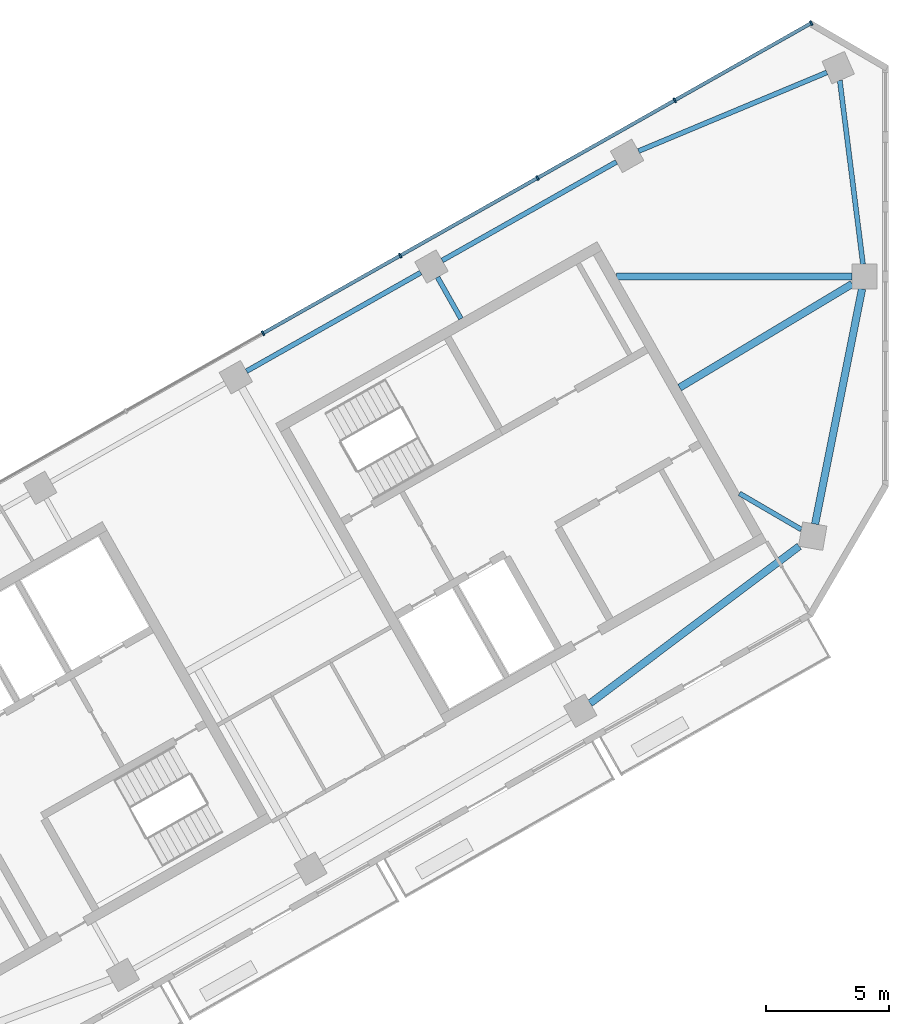
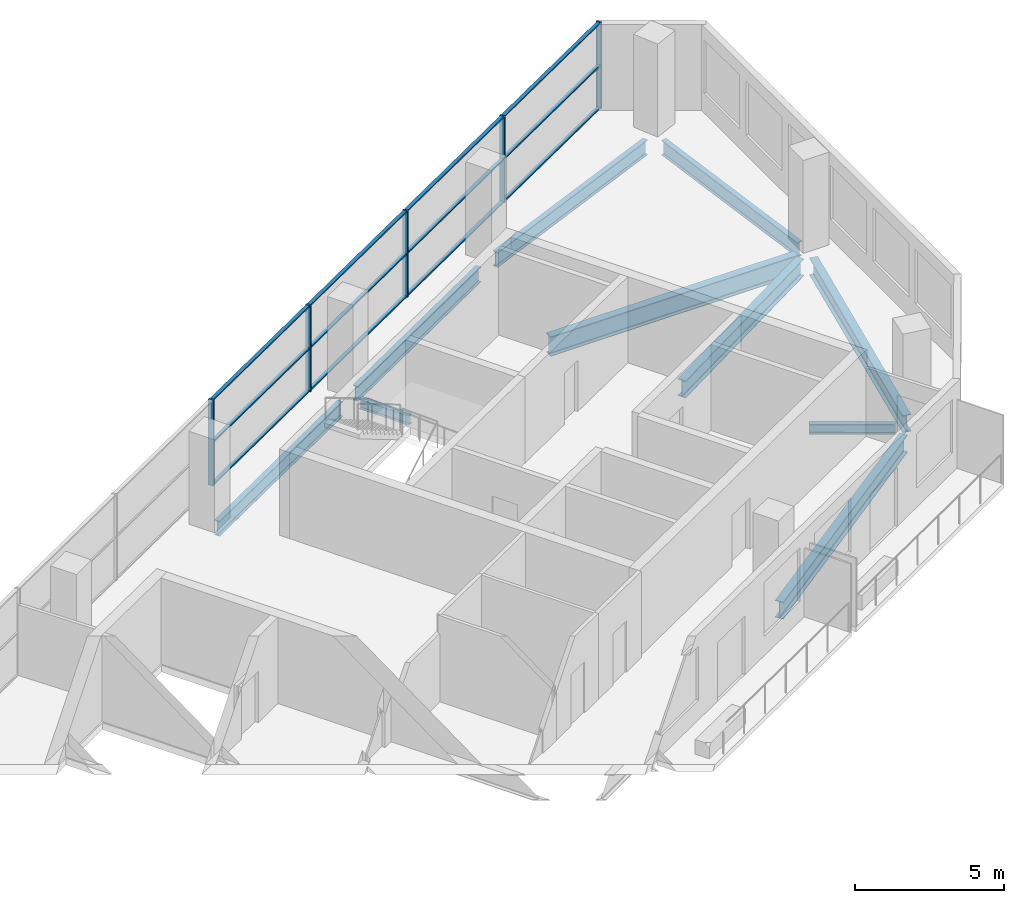
# One storey, part 4 of 10: 17 members, 10 beams, 1 element without a shape of its own.
"""IFC4 building model written with IfcOpenShell, lengths in metres."""

from ifc_helpers import new_model, si_unit, direction, frame, origin, origin_2d, place, context, subcontext, project, spatial, rectangle, i_section, extrude, material, material_profile, profile_set, type_object, element, aggregate, save


model = new_model("IFC4")

# Units and contexts
model_context = context("Model", 3, precision=1e-05, world=origin(), true_north=direction((0.0, 1.0)))
body_context = subcontext(model_context, "Body", "Model", "MODEL_VIEW")
ifc_project = project(units=[si_unit("LENGTHUNIT", "METRE"), si_unit("AREAUNIT", "SQUARE_METRE"), si_unit("VOLUMEUNIT", "CUBIC_METRE"), si_unit("PLANEANGLEUNIT", "RADIAN"), si_unit("MASSUNIT", "GRAM", prefix="KILO")], contexts=[model_context])

# Site, building, storey
site_placement = place(None, origin())
site = spatial("IfcSite", under=ifc_project, at=site_placement, CompositionType="ELEMENT")
building_placement = place(site_placement, origin())
building = spatial("IfcBuilding", under=site, at=building_placement, Name="Binnacle Exchange Tower", CompositionType="ELEMENT")
storey_placement = place(building_placement, frame((0.0, 0.0, 327.89990234375)))
storey = spatial("IfcBuildingStorey", under=building, at=storey_placement, Name="L74", CompositionType="ELEMENT", Elevation=327.89990234375)

# Curtain wall, members
ifc_material_1 = material(Name="Bronze anodised aluminium frame", Category="aluminium")
curtain_wall_type = type_object("IfcCurtainWallType", Name="External wall - curtain wall executive floors", PredefinedType="NOTDEFINED", material=ifc_material_1)
curtain_wall_placement = place(storey_placement, origin())
curtain_wall = element("IfcCurtainWall", 1, at=curtain_wall_placement, inside=storey, type_object=curtain_wall_type, Name="External wall curtain wall CW4-H03 L74", PredefinedType="NOTDEFINED")
ifc_material_profile_1 = material_profile(ifc_material_1, rectangle(XDim=0.199951171875, YDim=0.070068359375, at=origin_2d()), Name="AL 70x200")
ifc_profile_set_1 = profile_set([ifc_material_profile_1], Name="Bronze anodised aluminium frame")
member_type_1 = type_object("IfcMemberType", Name="CW4 MULLION 70x200", PredefinedType="MULLION", material=ifc_profile_set_1)
member_1_placement = place(storey_placement, frame((-3.01416015625, 70.294677734375, 0.0), z_axis=(0.0, 0.0, 1.0), x_axis=(0.492423763019, -0.870355581136, 0.0)))
member_1 = element("IfcMember", 2, at=member_1_placement, type_object=member_type_1, Name="CW4-H03 mullion 1", PredefinedType="MULLION", context=body_context, shape_type="SweptSolid", body=[
    extrude(rectangle(XDim=0.199951171875, YDim=0.070068359375, at=origin_2d()), origin(), (0.0, 0.0, 1.0), 3.52001953125),
])
member_2_placement = place(storey_placement, frame((-8.55859375, 67.15771484375, 0.0), z_axis=(0.0, 0.0, 1.0), x_axis=(0.492423763019, -0.870355581136, 0.0)))
member_2 = element("IfcMember", 3, at=member_2_placement, type_object=member_type_1, Name="CW4-H03 mullion 2", PredefinedType="MULLION", context=body_context, shape_type="SweptSolid", body=[
    extrude(rectangle(XDim=0.199951171875, YDim=0.070068359375, at=origin_2d()), origin(), (0.0, 0.0, 1.0), 3.52001953125),
])
member_3_placement = place(storey_placement, frame((-14.13330078125, 64.003662109375, 0.0), z_axis=(0.0, 0.0, 1.0), x_axis=(0.492423763019, -0.870355581136, 0.0)))
member_3 = element("IfcMember", 4, at=member_3_placement, type_object=member_type_1, Name="CW4-H03 mullion 3", PredefinedType="MULLION", context=body_context, shape_type="SweptSolid", body=[
    extrude(rectangle(XDim=0.199951171875, YDim=0.070068359375, at=origin_2d()), origin(), (0.0, 0.0, 1.0), 3.52001953125),
])
member_4_placement = place(storey_placement, frame((-19.708251953125, 60.849609375, 0.0), z_axis=(0.0, 0.0, 1.0), x_axis=(0.492423763019, -0.870355581136, 0.0)))
member_4 = element("IfcMember", 5, at=member_4_placement, type_object=member_type_1, Name="CW4-H03 mullion 4", PredefinedType="MULLION", context=body_context, shape_type="SweptSolid", body=[
    extrude(rectangle(XDim=0.199951171875, YDim=0.070068359375, at=origin_2d()), origin(), (0.0, 0.0, 1.0), 3.52001953125),
])
member_5_placement = place(storey_placement, frame((-25.283203125, 57.695556640625, 0.0), z_axis=(0.0, 0.0, 1.0), x_axis=(0.492423763019, -0.870355581136, 0.0)))
member_5 = element("IfcMember", 6, at=member_5_placement, type_object=member_type_1, Name="CW4-H03 mullion 5", PredefinedType="MULLION", context=body_context, shape_type="SweptSolid", body=[
    extrude(rectangle(XDim=0.199951171875, YDim=0.070068359375, at=origin_2d()), origin(), (0.0, 0.0, 1.0), 3.52001953125),
])
ifc_material_profile_2 = material_profile(ifc_material_1, rectangle(XDim=0.139892578125, YDim=0.050048828125, at=origin_2d()), Name="AL 140x50")
ifc_profile_set_2 = profile_set([ifc_material_profile_2], Name="Bronze anodised aluminium frame")
member_type_2 = type_object("IfcMemberType", Name="CW4 TRANSOM 50x140", PredefinedType="USERDEFINED", material=ifc_profile_set_2)
member_6_placement = place(storey_placement, frame((-3.044677734375, 70.27734375, 0.025146484375), z_axis=(-0.870359957561, -0.492416027637, 0.0), x_axis=(0.492416027637, -0.870359957561, 0.0)))
member_6 = element("IfcMember", 7, at=member_6_placement, type_object=member_type_2, Name="CW4-H03 transom 1.1", ObjectType="TRANSOM", PredefinedType="USERDEFINED", context=body_context, shape_type="SweptSolid", body=[
    extrude(rectangle(XDim=0.139892578125, YDim=0.050048828125, at=origin_2d()), origin(), (0.0, 0.0, 1.0), 6.300048828125),
])
member_7_placement = place(storey_placement, frame((-3.044677734375, 70.27734375, 1.760009765625), z_axis=(-0.870359957561, -0.492416027637, 0.0), x_axis=(0.492416027637, -0.870359957561, 0.0)))
member_7 = element("IfcMember", 8, at=member_7_placement, type_object=member_type_2, Name="CW4-H03 transom 1.2", ObjectType="TRANSOM", PredefinedType="USERDEFINED", context=body_context, shape_type="SweptSolid", body=[
    extrude(rectangle(XDim=0.139892578125, YDim=0.050048828125, at=origin_2d()), origin(), (0.0, 0.0, 1.0), 6.300048828125),
])
member_8_placement = place(storey_placement, frame((-3.044677734375, 70.27734375, 3.4951171875), z_axis=(-0.870359957561, -0.492416027637, 0.0), x_axis=(0.492416027637, -0.870359957561, 0.0)))
member_8 = element("IfcMember", 9, at=member_8_placement, type_object=member_type_2, Name="CW4-H03 transom 1.3", ObjectType="TRANSOM", PredefinedType="USERDEFINED", context=body_context, shape_type="SweptSolid", body=[
    extrude(rectangle(XDim=0.139892578125, YDim=0.050048828125, at=origin_2d()), origin(), (0.0, 0.0, 1.0), 6.300048828125),
])
member_9_placement = place(storey_placement, frame((-8.589111328125, 67.140625, 0.025146484375), z_axis=(-0.870355335808, -0.492424196633, 0.0), x_axis=(0.492424196633, -0.870355335808, 0.0)))
member_9 = element("IfcMember", 10, at=member_9_placement, type_object=member_type_2, Name="CW4-H03 transom 2.1", ObjectType="TRANSOM", PredefinedType="USERDEFINED", context=body_context, shape_type="SweptSolid", body=[
    extrude(rectangle(XDim=0.139892578125, YDim=0.050048828125, at=origin_2d()), origin(), (0.0, 0.0, 1.0), 6.335205078125),
])
member_10_placement = place(storey_placement, frame((-8.589111328125, 67.140625, 1.760009765625), z_axis=(-0.870355335808, -0.492424196633, 0.0), x_axis=(0.492424196633, -0.870355335808, 0.0)))
member_10 = element("IfcMember", 11, at=member_10_placement, type_object=member_type_2, Name="CW4-H03 transom 2.2", ObjectType="TRANSOM", PredefinedType="USERDEFINED", context=body_context, shape_type="SweptSolid", body=[
    extrude(rectangle(XDim=0.139892578125, YDim=0.050048828125, at=origin_2d()), origin(), (0.0, 0.0, 1.0), 6.335205078125),
])
member_11_placement = place(storey_placement, frame((-8.589111328125, 67.140625, 3.4951171875), z_axis=(-0.870355335808, -0.492424196633, 0.0), x_axis=(0.492424196633, -0.870355335808, 0.0)))
member_11 = element("IfcMember", 12, at=member_11_placement, type_object=member_type_2, Name="CW4-H03 transom 2.3", ObjectType="TRANSOM", PredefinedType="USERDEFINED", context=body_context, shape_type="SweptSolid", body=[
    extrude(rectangle(XDim=0.139892578125, YDim=0.050048828125, at=origin_2d()), origin(), (0.0, 0.0, 1.0), 6.335205078125),
])
member_12_placement = place(storey_placement, frame((-14.163818359375, 63.986328125, 0.025146484375), z_axis=(-0.870355335808, -0.492424196633, 0.0), x_axis=(0.492424196633, -0.870355335808, 0.0)))
member_12 = element("IfcMember", 13, at=member_12_placement, type_object=member_type_2, Name="CW4-H03 transom 3.1", ObjectType="TRANSOM", PredefinedType="USERDEFINED", context=body_context, shape_type="SweptSolid", body=[
    extrude(rectangle(XDim=0.139892578125, YDim=0.050048828125, at=origin_2d()), origin(), (0.0, 0.0, 1.0), 6.335205078125),
])
member_13_placement = place(storey_placement, frame((-14.163818359375, 63.986328125, 1.760009765625), z_axis=(-0.870355335808, -0.492424196633, 0.0), x_axis=(0.492424196633, -0.870355335808, 0.0)))
member_13 = element("IfcMember", 14, at=member_13_placement, type_object=member_type_2, Name="CW4-H03 transom 3.2", ObjectType="TRANSOM", PredefinedType="USERDEFINED", context=body_context, shape_type="SweptSolid", body=[
    extrude(rectangle(XDim=0.139892578125, YDim=0.050048828125, at=origin_2d()), origin(), (0.0, 0.0, 1.0), 6.335205078125),
])
member_14_placement = place(storey_placement, frame((-14.163818359375, 63.986328125, 3.4951171875), z_axis=(-0.870355335808, -0.492424196633, 0.0), x_axis=(0.492424196633, -0.870355335808, 0.0)))
member_14 = element("IfcMember", 15, at=member_14_placement, type_object=member_type_2, Name="CW4-H03 transom 3.3", ObjectType="TRANSOM", PredefinedType="USERDEFINED", context=body_context, shape_type="SweptSolid", body=[
    extrude(rectangle(XDim=0.139892578125, YDim=0.050048828125, at=origin_2d()), origin(), (0.0, 0.0, 1.0), 6.335205078125),
])
member_15_placement = place(storey_placement, frame((-19.73876953125, 60.832275390625, 0.025146484375), z_axis=(-0.870355335808, -0.492424196633, 0.0), x_axis=(0.492424196633, -0.870355335808, 0.0)))
member_15 = element("IfcMember", 16, at=member_15_placement, type_object=member_type_2, Name="CW4-H03 transom 4.1", ObjectType="TRANSOM", PredefinedType="USERDEFINED", context=body_context, shape_type="SweptSolid", body=[
    extrude(rectangle(XDim=0.139892578125, YDim=0.050048828125, at=origin_2d()), origin(), (0.0, 0.0, 1.0), 6.335205078125),
])
member_16_placement = place(storey_placement, frame((-19.73876953125, 60.832275390625, 1.760009765625), z_axis=(-0.870355335808, -0.492424196633, 0.0), x_axis=(0.492424196633, -0.870355335808, 0.0)))
member_16 = element("IfcMember", 17, at=member_16_placement, type_object=member_type_2, Name="CW4-H03 transom 4.2", ObjectType="TRANSOM", PredefinedType="USERDEFINED", context=body_context, shape_type="SweptSolid", body=[
    extrude(rectangle(XDim=0.139892578125, YDim=0.050048828125, at=origin_2d()), origin(), (0.0, 0.0, 1.0), 6.335205078125),
])
member_17_placement = place(storey_placement, frame((-19.73876953125, 60.832275390625, 3.4951171875), z_axis=(-0.870355335808, -0.492424196633, 0.0), x_axis=(0.492424196633, -0.870355335808, 0.0)))
member_17 = element("IfcMember", 18, at=member_17_placement, type_object=member_type_2, Name="CW4-H03 transom 4.3", ObjectType="TRANSOM", PredefinedType="USERDEFINED", context=body_context, shape_type="SweptSolid", body=[
    extrude(rectangle(XDim=0.139892578125, YDim=0.050048828125, at=origin_2d()), origin(), (0.0, 0.0, 1.0), 6.335205078125),
])
aggregate(curtain_wall, [member_1, member_2, member_3, member_4, member_5, member_6, member_7, member_8, member_9, member_10, member_11, member_12, member_13, member_14, member_15, member_16, member_17])

# Beams
ifc_material_2 = material(Name="Steel S355 (SHN355)", Category="steel")
ifc_material_profile_3 = material_profile(ifc_material_2, i_section(OverallWidth=0.200927734375, OverallDepth=0.60595703125, WebThickness=0.011962890625, FlangeThickness=0.02001953125, FilletRadius=0.02197265625, at=origin_2d()), Name="H 606x201x12x20")
ifc_profile_set_3 = profile_set([ifc_material_profile_3], Name="Steel S355 (SHN355)")
beam_type_1 = type_object("IfcBeamType", Name="Edge girder H 606x201x12x20 Steel S355 (SHN355)", PredefinedType="SPANDREL", material=ifc_profile_set_3)
beam_1_placement = place(storey_placement, frame((-0.9130859375, 60.5, -0.5830078125), z_axis=(-0.125172722987, 0.992134965325, 0.0), x_axis=(-0.992134965325, -0.125172722987, 0.0)))
element("IfcBeam", 19, at=beam_1_placement, inside=storey, type_object=beam_type_1, Name="S:BM:edge:L74:018", PredefinedType="SPANDREL", context=body_context, shape_type="SweptSolid", body=[
    extrude(i_section(OverallWidth=0.200927734375, OverallDepth=0.60595703125, WebThickness=0.011962890625, FlangeThickness=0.02001953125, FilletRadius=0.02197265625, at=origin_2d()), origin(), (0.0, 0.0, 1.0), 7.524658203125),
])
ifc_material_profile_4 = material_profile(ifc_material_2, i_section(OverallWidth=0.201904296875, OverallDepth=0.612060546875, WebThickness=0.012939453125, FlangeThickness=0.02294921875, FilletRadius=0.02197265625, at=origin_2d()), Name="H 612x202x13x23")
ifc_profile_set_4 = profile_set([ifc_material_profile_4], Name="Steel S355 (SHN355)")
beam_type_2 = type_object("IfcBeamType", Name="Edge girder H 612x202x13x23 Steel S355 (SHN355)", PredefinedType="SPANDREL", material=ifc_profile_set_4)
beam_2_placement = place(storey_placement, frame((-18.87646484375, 60.159912109375, -0.5859375), z_axis=(-0.870353024448, -0.49242828192, 0.0), x_axis=(0.49242828192, -0.870353024448, 0.0)))
element("IfcBeam", 20, at=beam_2_placement, inside=storey, type_object=beam_type_2, Name="S:BM:edge:L74:013", PredefinedType="SPANDREL", context=body_context, shape_type="SweptSolid", body=[
    extrude(i_section(OverallWidth=0.201904296875, OverallDepth=0.612060546875, WebThickness=0.012939453125, FlangeThickness=0.02294921875, FilletRadius=0.02197265625, at=origin_2d()), origin(), (0.0, 0.0, 1.0), 8.1298828125),
])
beam_3_placement = place(storey_placement, frame((-10.930419921875, 64.655517578125, -0.5859375), z_axis=(-0.870345742373, -0.492441152558, 0.0), x_axis=(0.492441152558, -0.870345742373, 0.0)))
element("IfcBeam", 21, at=beam_3_placement, inside=storey, type_object=beam_type_2, Name="S:BM:edge:L74:015", PredefinedType="SPANDREL", context=body_context, shape_type="SweptSolid", body=[
    extrude(i_section(OverallWidth=0.201904296875, OverallDepth=0.612060546875, WebThickness=0.012939453125, FlangeThickness=0.02294921875, FilletRadius=0.02197265625, at=origin_2d()), origin(), (0.0, 0.0, 1.0), 8.129638671875),
])
beam_4_placement = place(storey_placement, frame((-2.381591796875, 68.29052734375, -0.5859375), z_axis=(-0.922743712975, -0.385414115161, 0.0), x_axis=(0.385414115161, -0.922743712975, 0.0)))
element("IfcBeam", 22, at=beam_4_placement, inside=storey, type_object=beam_type_2, Name="S:BM:edge:L74:017", PredefinedType="SPANDREL", context=body_context, shape_type="SweptSolid", body=[
    extrude(i_section(OverallWidth=0.201904296875, OverallDepth=0.612060546875, WebThickness=0.012939453125, FlangeThickness=0.02294921875, FilletRadius=0.02197265625, at=origin_2d()), origin(), (0.0, 0.0, 1.0), 8.289306640625),
])
ifc_material_profile_5 = material_profile(ifc_material_2, i_section(OverallWidth=0.300048828125, OverallDepth=0.699951171875, WebThickness=0.012939453125, FlangeThickness=0.02392578125, FilletRadius=0.028076171875, at=origin_2d()), Name="H 700x300x13x24")
ifc_profile_set_5 = profile_set([ifc_material_profile_5], Name="Steel S355 (SHN355)")
beam_type_3 = type_object("IfcBeamType", Name="Edge girder H 700x300x13x24 Steel S355 (SHN355)", PredefinedType="SPANDREL", material=ifc_profile_set_5)
beam_5_placement = place(storey_placement, frame((-11.996826171875, 42.666015625, -0.6298828125), z_axis=(0.799641252976, 0.600478031687, 0.0), x_axis=(-0.600478031687, 0.799641252976, 0.0)))
element("IfcBeam", 23, at=beam_5_placement, inside=storey, type_object=beam_type_3, Name="S:BM:edge:L74:014", PredefinedType="SPANDREL", context=body_context, shape_type="SweptSolid", body=[
    extrude(i_section(OverallWidth=0.300048828125, OverallDepth=0.699951171875, WebThickness=0.012939453125, FlangeThickness=0.02392578125, FilletRadius=0.028076171875, at=origin_2d()), origin(), (0.0, 0.0, 1.0), 10.62060546875),
])
beam_6_placement = place(storey_placement, frame((-2.857421875, 49.946044921875, -0.6298828125), z_axis=(0.195812523993, 0.98064134904, 0.0), x_axis=(-0.98064134904, 0.195812523993, 0.0)))
element("IfcBeam", 24, at=beam_6_placement, inside=storey, type_object=beam_type_3, Name="S:BM:edge:L74:016", PredefinedType="SPANDREL", context=body_context, shape_type="SweptSolid", body=[
    extrude(i_section(OverallWidth=0.300048828125, OverallDepth=0.699951171875, WebThickness=0.012939453125, FlangeThickness=0.02392578125, FilletRadius=0.028076171875, at=origin_2d()), origin(), (0.0, 0.0, 1.0), 9.74267578125),
])
ifc_material_profile_6 = material_profile(ifc_material_2, i_section(OverallWidth=0.199951171875, OverallDepth=0.39990234375, WebThickness=0.008056640625, FlangeThickness=0.012939453125, FilletRadius=0.01611328125, at=origin_2d()), Name="H 400x200x8x13")
ifc_profile_set_6 = profile_set([ifc_material_profile_6], Name="Steel S355 (SHN355)")
beam_type_4 = type_object("IfcBeamType", Name="Floor beam H 400x200x8x13 Steel S355 (SHN355)", PredefinedType="BEAM", material=ifc_profile_set_6)
beam_7_placement = place(storey_placement, frame((-18.195068359375, 59.970703125, -0.47998046875), z_axis=(0.492423244016, -0.870355874773, 0.0), x_axis=(0.870355874773, 0.492423244016, 0.0)))
element("IfcBeam", 25, at=beam_7_placement, inside=storey, type_object=beam_type_4, Name="S:BM:cross:L74:026", PredefinedType="BEAM", context=body_context, shape_type="SweptSolid", body=[
    extrude(i_section(OverallWidth=0.199951171875, OverallDepth=0.39990234375, WebThickness=0.008056640625, FlangeThickness=0.012939453125, FilletRadius=0.01611328125, at=origin_2d()), origin(), (0.0, 0.0, 1.0), 1.93408203125),
])
beam_8_placement = place(storey_placement, frame((-3.416259765625, 49.72412109375, -0.47998046875), z_axis=(-0.86381235495, 0.503813671346, 0.0), x_axis=(-0.503813671346, -0.86381235495, 0.0)))
element("IfcBeam", 26, at=beam_8_placement, inside=storey, type_object=beam_type_4, Name="S:BM:cross:L74:028", PredefinedType="BEAM", context=body_context, shape_type="SweptSolid", body=[
    extrude(i_section(OverallWidth=0.199951171875, OverallDepth=0.39990234375, WebThickness=0.008056640625, FlangeThickness=0.012939453125, FilletRadius=0.01611328125, at=origin_2d()), origin(), (0.0, 0.0, 1.0), 2.911376953125),
])
ifc_material_profile_7 = material_profile(ifc_material_2, i_section(OverallWidth=0.300048828125, OverallDepth=0.800048828125, WebThickness=0.013916015625, FlangeThickness=0.02587890625, FilletRadius=0.028076171875, at=origin_2d()), Name="H 800x300x14x26")
ifc_profile_set_7 = profile_set([ifc_material_profile_7], Name="Steel S355 (SHN355)")
beam_type_5 = type_object("IfcBeamType", Name="Floor beam H 800x300x14x26 Steel S355 (SHN355)", PredefinedType="BEAM", material=ifc_profile_set_7)
beam_9_placement = place(storey_placement, frame((-1.35009765625, 60.0, -0.679931640625), z_axis=(-1.0, 0.0, 0.0), x_axis=(0.0, -1.0, 0.0)))
element("IfcBeam", 27, at=beam_9_placement, inside=storey, type_object=beam_type_5, Name="S:BM:cross:L74:029", PredefinedType="BEAM", context=body_context, shape_type="SweptSolid", body=[
    extrude(i_section(OverallWidth=0.300048828125, OverallDepth=0.800048828125, WebThickness=0.013916015625, FlangeThickness=0.02587890625, FilletRadius=0.028076171875, at=origin_2d()), origin(), (0.0, 0.0, 1.0), 9.56494140625),
])
ifc_material_profile_8 = material_profile(ifc_material_2, i_section(OverallWidth=0.300048828125, OverallDepth=0.699951171875, WebThickness=0.012939453125, FlangeThickness=0.02392578125, FilletRadius=0.028076171875, at=origin_2d()), Name="H 700x300x13x24")
ifc_profile_set_8 = profile_set([ifc_material_profile_8], Name="Steel S355 (SHN355)")
beam_type_6 = type_object("IfcBeamType", Name="Spine girder H 700x300x13x24 Steel S355 (SHN355)", PredefinedType="BEAM", material=ifc_profile_set_8)
beam_10_placement = place(storey_placement, frame((-8.36328125, 55.489990234375, -0.6298828125), z_axis=(0.857382296764, 0.514680092091, 0.0), x_axis=(-0.514680092091, 0.857382296764, 0.0)))
element("IfcBeam", 28, at=beam_10_placement, inside=storey, type_object=beam_type_6, Name="S:BM:spine:L74:003", PredefinedType="BEAM", context=body_context, shape_type="SweptSolid", body=[
    extrude(i_section(OverallWidth=0.300048828125, OverallDepth=0.699951171875, WebThickness=0.012939453125, FlangeThickness=0.02392578125, FilletRadius=0.028076171875, at=origin_2d()), origin(), (0.0, 0.0, 1.0), 8.1796875),
])

save(model, "model.ifc")
